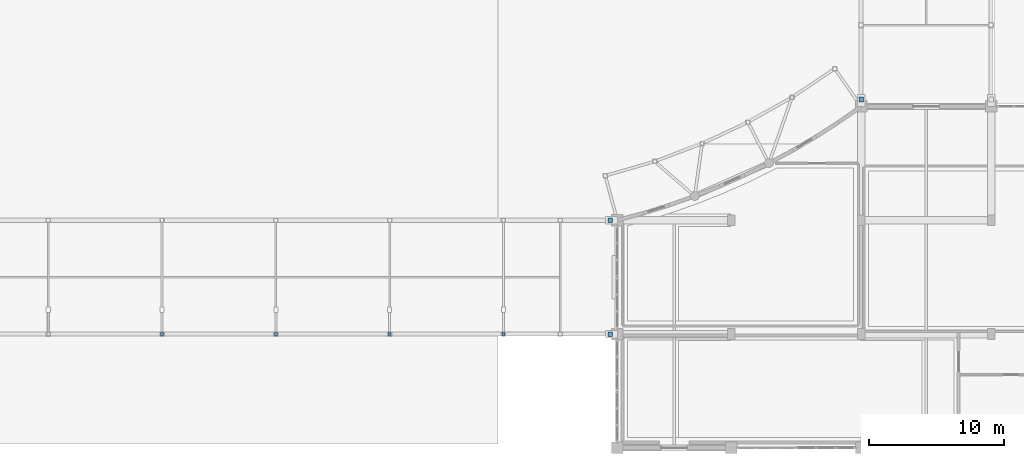
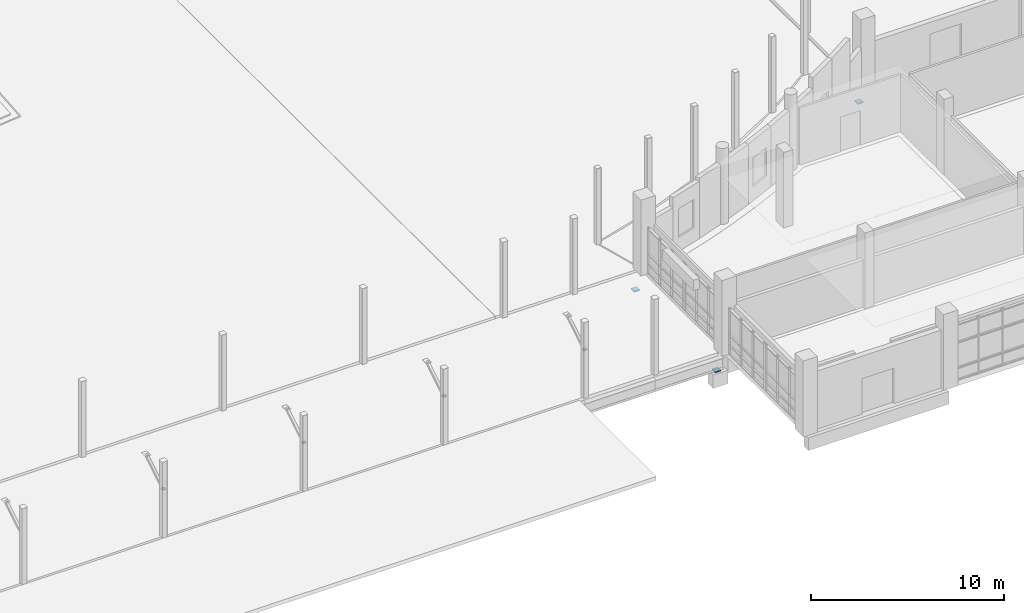
# One storey, part 77 of 97: 7 discrete accessories.
"""IFC4 building model written with IfcOpenShell, lengths in metres."""

from ifc_helpers import new_model, si_unit, direction, frame, origin, origin_2d, place, context, subcontext, project, spatial, rectangle, extrude, material, layer, layer_set, type_object, element, save


model = new_model("IFC4")

# Units and contexts
model_context = context("Model", 3, precision=1e-05, world=origin(), true_north=direction((0.0, 1.0)))
body_context = subcontext(model_context, "Body", "Model", "MODEL_VIEW")
ifc_project = project(units=[si_unit("LENGTHUNIT", "METRE"), si_unit("AREAUNIT", "SQUARE_METRE"), si_unit("VOLUMEUNIT", "CUBIC_METRE"), si_unit("PLANEANGLEUNIT", "RADIAN"), si_unit("MASSUNIT", "GRAM", prefix="KILO")], contexts=[model_context])

# Site, building, storey
site_placement = place(None, origin())
site = spatial("IfcSite", under=ifc_project, at=site_placement, CompositionType="ELEMENT")
building_placement = place(site_placement, origin())
building = spatial("IfcBuilding", under=site, at=building_placement, Name="Kisaragi Civic Commons", CompositionType="ELEMENT")
storey_placement = place(building_placement, origin())
storey = spatial("IfcBuildingStorey", under=building, at=storey_placement, Name="L00", CompositionType="ELEMENT", Elevation=0.0)

# Discrete accessories
ifc_material = material(Name="Steel SN490 (SN490B)", Category="steel")
ifc_layer_1 = layer(ifc_material, 0.02392578125, Name="Steel SN490 (SN490B)", Category="steel")
ifc_layer_set_1 = layer_set([ifc_layer_1], Name="Steel SN490 (SN490B)")
discrete_accessory_type_1 = type_object("IfcDiscreteAccessoryType", Name="CN-01", PredefinedType="SHOE", material=ifc_layer_set_1)
for number, where, z_axis, x_axis, name in (
    (1, (72.0, 8.39990234375, 2.988037109375), (0.0, 0.0, 1.0), (1.0, 0.0, 0.0), "Brace/strut steel end connection 20"),
    (2, (80.39990234375, 8.39990234375, 2.988037109375), (0.0, 0.0, 1.0), (1.0, 0.0, 0.0), "Brace/strut steel end connection 21"),
    (3, (88.800048828125, 8.39990234375, 2.988037109375), (0.0, 0.0, 1.0), (1.0, 0.0, 0.0), "Brace/strut steel end connection 22"),
    (4, (97.199951171875, 8.39990234375, 2.988037109375), (0.0, 0.0, 1.0), (1.0, 0.0, 0.0), "Brace/strut steel end connection 23"),
):
    element("IfcDiscreteAccessory", number, at=place(storey_placement, frame(where, z_axis=z_axis, x_axis=x_axis)), inside=storey, type_object=discrete_accessory_type_1, Name=name, PredefinedType="SHOE", context=body_context, shape_type="SweptSolid", body=[
        extrude(rectangle(XDim=0.219970703125, YDim=0.219970703125, at=origin_2d()), origin(), (0.0, 0.0, 1.0), 0.02392578125),
    ])
ifc_layer_2 = layer(ifc_material, 0.06494140625, Name="Steel SN490 (SN490B)", Category="steel")
ifc_layer_set_2 = layer_set([ifc_layer_2], Name="Steel SN490 (SN490B)")
discrete_accessory_type_2 = type_object("IfcDiscreteAccessoryType", Name="SB-01", PredefinedType="USERDEFINED", material=ifc_layer_set_2)
for number, where, z_axis, x_axis, name in (
    (5, (123.60009765625, 25.7099609375, -1.10498046875), (0.0, 0.0, 1.0), (1.0, 0.0, 0.0), "PTFE sliding bearing SB-01 13"),
    (6, (105.090087890625, 8.39990234375, -1.10498046875), (0.0, 0.0, 1.0), (1.0, 0.0, 0.0), "PTFE sliding bearing SB-01 17"),
    (7, (105.090087890625, 16.800048828125, -1.10498046875), (0.0, 0.0, 1.0), (1.0, 0.0, 0.0), "PTFE sliding bearing SB-01 18"),
):
    element("IfcDiscreteAccessory", number, at=place(storey_placement, frame(where, z_axis=z_axis, x_axis=x_axis)), inside=storey, type_object=discrete_accessory_type_2, Name=name, ObjectType="SLIDING BEARING", PredefinedType="USERDEFINED", context=body_context, shape_type="SweptSolid", body=[
        extrude(rectangle(XDim=0.340087890625, YDim=0.340087890625, at=origin_2d()), origin(), (0.0, 0.0, 1.0), 0.06494140625),
    ])

save(model, "model.ifc")
